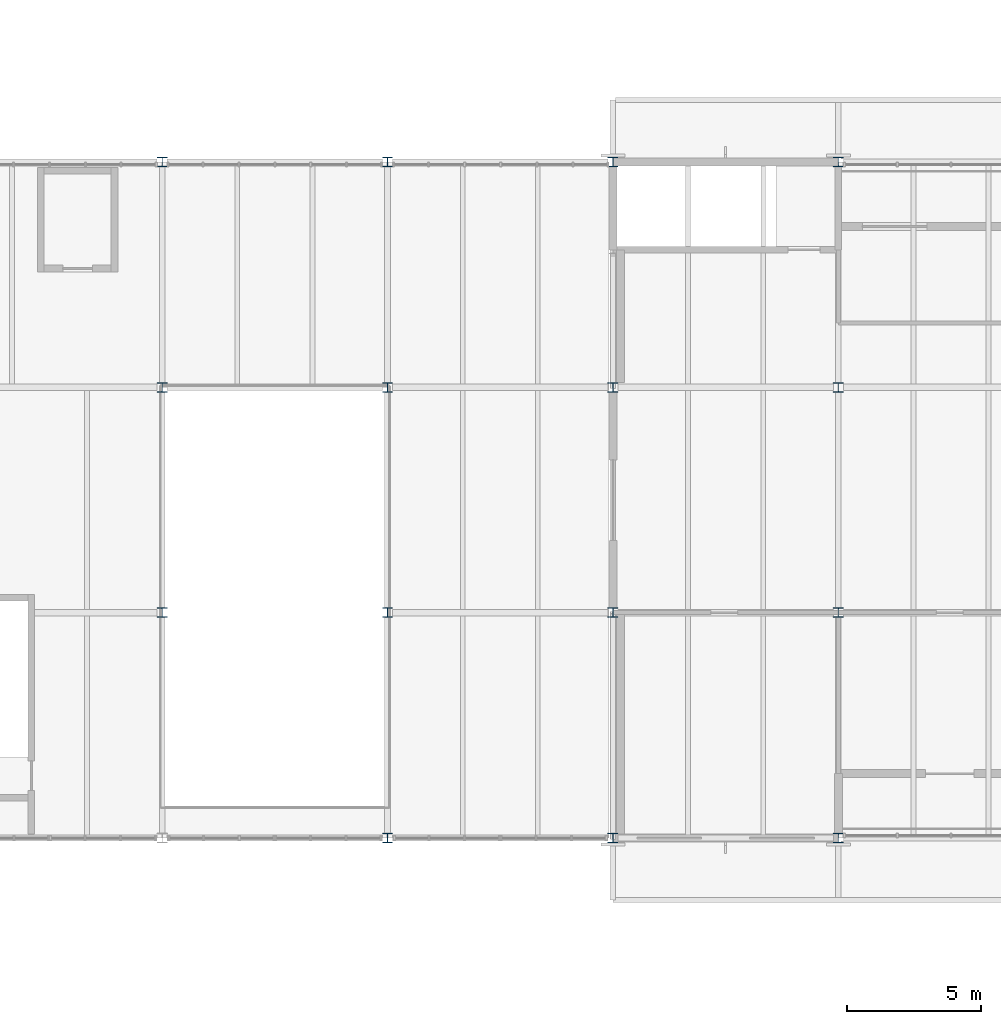
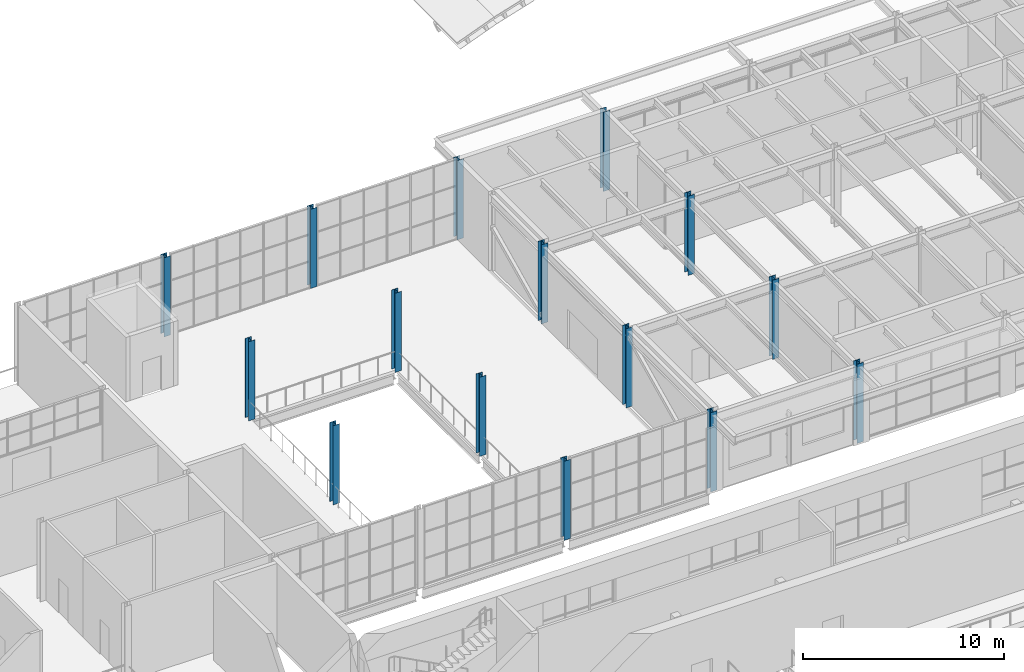
# One storey, part 10 of 116: 15 columns.
"""IFC4 building model written with IfcOpenShell, lengths in metres."""

import ifcopenshell
import ifcopenshell.guid

model = None  # the IFC model being written
_history = None  # IfcOwnerHistory: only IFC2X3 demands one
_inside = {}  # id of a spatial element -> (the spatial element, [elements in it])
_under = {}  # id of a project, library or spatial element -> (it, [spatial elements below it])
_declared = {}  # id of a project -> (the project, [libraries it declares])
_typed = {}  # id of a type object -> (the type object, [elements of that type])
_made_of = {}  # id of a material, layer set ... -> (it, [elements and type objects made of it])


def new_model(schema):
    """Start an empty IFC model of exactly this schema.

    Asked for "IFC4X3", IfcOpenShell would pick the latest addendum, in which some entities
    have other attributes; the version numbers below select the first issue.
    IFC2X3 requires an IfcOwnerHistory on every rooted entity: one is made here for all.
    """
    global model, _history
    if schema == "IFC4X3":
        model = ifcopenshell.file(schema_version=(4, 3, 0, 0))
    else:
        model = ifcopenshell.file(schema=schema)
    _inside.clear()
    _under.clear()
    _declared.clear()
    _typed.clear()
    _made_of.clear()
    _history = None
    if model.schema == "IFC2X3":
        org = make("IfcOrganization", Name="unknown")
        user = make(
            "IfcPersonAndOrganization",
            ThePerson=make("IfcPerson", FamilyName="unknown"),
            TheOrganization=org,
        )
        app = make(
            "IfcApplication",
            ApplicationDeveloper=org,
            Version="unknown",
            ApplicationFullName="unknown",
            ApplicationIdentifier="unknown",
        )
        _history = make(
            "IfcOwnerHistory",
            OwningUser=user,
            OwningApplication=app,
            ChangeAction="ADDED",
            CreationDate=0,
        )
    return model


def make(cls, **values):
    """One entity of the class cls with the attributes given. An attribute that is None is left unset."""
    return model.create_entity(
        cls, **{name: value for name, value in values.items() if value is not None}
    )


def rooted(cls, **values):
    """An entity with a GlobalId (a new one), such as an element, a storey or a relation."""
    return make(cls, GlobalId=ifcopenshell.guid.new(), OwnerHistory=_history, **values)


def si_unit(unit_type, name, prefix=None):
    """IfcSIUnit, for example si_unit("LENGTHUNIT", "METRE", prefix="MILLI")."""
    return make("IfcSIUnit", UnitType=unit_type, Prefix=prefix, Name=name)


def assignment(units):
    """IfcUnitAssignment: the units of a project."""
    return None if units is None else make("IfcUnitAssignment", Units=units)


def point(xyz):
    """IfcCartesianPoint."""
    return None if xyz is None else make("IfcCartesianPoint", Coordinates=xyz)


def direction(xyz):
    """IfcDirection."""
    return None if xyz is None else make("IfcDirection", DirectionRatios=xyz)


def frame(location, z_axis=None, x_axis=None):
    """IfcAxis2Placement3D, a coordinate frame: its origin and axes. An axis left out is left unset."""
    return make(
        "IfcAxis2Placement3D",
        Location=point(location),
        Axis=direction(z_axis),
        RefDirection=direction(x_axis),
    )


def frame_2d(location, x_axis=None):
    """IfcAxis2Placement2D, a coordinate frame in the plane: its origin and x axis."""
    return make(
        "IfcAxis2Placement2D", Location=point(location), RefDirection=direction(x_axis)
    )


def origin():
    """The frame at (0, 0, 0) with its axes left unset."""
    return frame((0.0, 0.0, 0.0))


def origin_2d():
    """The frame at (0, 0) in the plane with its x axis left unset."""
    return frame_2d((0.0, 0.0))


def place(relative_to, where):
    """IfcLocalPlacement: puts the frame where relative to a parent placement (None: the world)."""
    return make(
        "IfcLocalPlacement", PlacementRelTo=relative_to, RelativePlacement=where
    )


def context(
    kind, dimensions, precision=None, world=None, true_north=None, identifier=None
):
    """IfcGeometricRepresentationContext, for example the 3D "Model" context."""
    return make(
        "IfcGeometricRepresentationContext",
        ContextIdentifier=identifier,
        ContextType=kind,
        CoordinateSpaceDimension=dimensions,
        Precision=precision,
        WorldCoordinateSystem=world,
        TrueNorth=true_north,
    )


def subcontext(parent, identifier, kind, view, scale=None):
    """IfcGeometricRepresentationSubContext, for example "Body" below "Model"."""
    return make(
        "IfcGeometricRepresentationSubContext",
        ContextIdentifier=identifier,
        ContextType=kind,
        ParentContext=parent,
        TargetScale=scale,
        TargetView=view,
    )


def project(units=None, contexts=None):
    """IfcProject with its units and contexts."""
    return rooted(
        "IfcProject",
        Name="project",
        RepresentationContexts=contexts,
        UnitsInContext=assignment(units),
    )


def spatial(cls, under=None, at=None, **own):
    """A site, building, storey or space (cls), placed at a placement, below another one or the project."""
    s = rooted(cls, ObjectPlacement=at, **own)
    if under is not None:
        _under.setdefault(under.id(), (under, []))[1].append(s)
    return s


def profile(cls, at=None, kind="AREA", **sizes):
    """A parametric profile (cls). Its sizes go by their IFC names, for example OverallWidth=200.0."""
    return make(cls, ProfileType=kind, Position=at, **sizes)


def i_section(**sizes):
    """IfcIShapeProfileDef."""
    return profile("IfcIShapeProfileDef", **sizes)


def extrude(swept, where, along, depth):
    """IfcExtrudedAreaSolid: the profile swept, set in the frame where, extruded along a direction by depth."""
    return make(
        "IfcExtrudedAreaSolid",
        SweptArea=swept,
        Position=where,
        ExtrudedDirection=direction(along),
        Depth=depth,
    )


def shape(context_of_items, identifier, shape_type, items):
    """IfcShapeRepresentation: the items that make up one representation, for example the "Body"."""
    return make(
        "IfcShapeRepresentation",
        ContextOfItems=context_of_items,
        RepresentationIdentifier=identifier,
        RepresentationType=shape_type,
        Items=items,
    )


def material(Name=None, Category=None):
    """IfcMaterial."""
    return make("IfcMaterial", Name=Name, Category=Category)


def material_profile(
    of_material, cross_section, Name=None, Category=None, Priority=None
):
    """IfcMaterialProfile: a cross section and its material."""
    return make(
        "IfcMaterialProfile",
        Name=Name,
        Material=of_material,
        Profile=cross_section,
        Priority=Priority,
        Category=Category,
    )


def profile_set(profiles, Name=None, composite=None):
    """IfcMaterialProfileSet."""
    return make(
        "IfcMaterialProfileSet",
        Name=Name,
        MaterialProfiles=profiles,
        CompositeProfile=composite,
    )


def made_of(thing, what):
    """Note that an element or type object is made of a material, layer set ...; save() writes the relation."""
    if what is not None:
        _made_of.setdefault(what.id(), (what, []))[1].append(thing)
    return thing


def type_object(cls, material=None, **own):
    """A type object (cls), such as IfcWallType, which elements share."""
    return made_of(rooted(cls, **own), material)


def element(
    cls,
    number,
    at=None,
    inside=None,
    cuts=None,
    type_object=None,
    material=None,
    context=None,
    identifier="Body",
    shape_type=None,
    held_by="IfcProductDefinitionShape",
    body=None,
    shapes=None,
    **own,
):
    """One element of the class cls, such as IfcWall. Its Tag is "e" and its number.

    at: its placement. inside: the storey or other place that contains it. cuts: it is an
    opening in that element (IfcRelVoidsElement). A single representation is given by context,
    identifier, shape_type and body (its items); several are given by shapes. held_by: the class
    of the entity that holds the representations. save() writes the other relations.
    """
    e = rooted(cls, Tag="e%d" % number, ObjectPlacement=at, **own)
    if body is not None:
        shapes = [shape(context, identifier, shape_type, body)]
    if shapes is not None:
        e.Representation = make(held_by, Representations=shapes)
    if inside is not None:
        _inside.setdefault(inside.id(), (inside, []))[1].append(e)
    if cuts is not None:
        rooted(
            "IfcRelVoidsElement", RelatingBuildingElement=cuts, RelatedOpeningElement=e
        )
    if type_object is not None:
        _typed.setdefault(type_object.id(), (type_object, []))[1].append(e)
    return made_of(e, material)


def aggregate(whole, parts):
    """IfcRelAggregates: a whole, such as a stair, and the parts it consists of."""
    return rooted("IfcRelAggregates", RelatingObject=whole, RelatedObjects=parts)


def save(model, path):
    """Write the relations noted so far, then the file.

    IfcRelAggregates (storeys below a building ...), IfcRelContainedInSpatialStructure (elements
    in a storey), IfcRelDefinesByType, IfcRelAssociatesMaterial and IfcRelDeclares: one each for
    every whole, place, type object, material and project.
    """
    for whole, parts in _under.values():
        aggregate(whole, parts)
    for where, things in _inside.values():
        rooted(
            "IfcRelContainedInSpatialStructure",
            RelatedElements=things,
            RelatingStructure=where,
        )
    for kind, things in _typed.values():
        rooted("IfcRelDefinesByType", RelatedObjects=things, RelatingType=kind)
    for what, things in _made_of.values():
        rooted("IfcRelAssociatesMaterial", RelatedObjects=things, RelatingMaterial=what)
    for by, libraries in _declared.values():
        rooted("IfcRelDeclares", RelatingContext=by, RelatedDefinitions=libraries)
    model.write(path)


model = new_model("IFC4")

# Units and contexts
model_context = context("Model", 3, precision=1e-05, world=origin(), true_north=direction((0.0, 1.0)))
body_context = subcontext(model_context, "Body", "Model", "MODEL_VIEW")
ifc_project = project(units=[si_unit("LENGTHUNIT", "METRE"), si_unit("AREAUNIT", "SQUARE_METRE"), si_unit("VOLUMEUNIT", "CUBIC_METRE"), si_unit("PLANEANGLEUNIT", "RADIAN"), si_unit("MASSUNIT", "GRAM", prefix="KILO")], contexts=[model_context])

# Site, building, storey
site_placement = place(None, origin())
site = spatial("IfcSite", under=ifc_project, at=site_placement, CompositionType="ELEMENT")
building_placement = place(site_placement, origin())
building = spatial("IfcBuilding", under=site, at=building_placement, Name="Ljudholm Concert House", CompositionType="ELEMENT")
storey_placement = place(building_placement, frame((0.0, 0.0, 10.199951171875)))
storey = spatial("IfcBuildingStorey", under=building, at=storey_placement, Name="L02", CompositionType="ELEMENT", Elevation=10.199951171875)

# Columns
ifc_material = material(Name="Steel ASTM A992", Category="steel")
ifc_material_profile = material_profile(ifc_material, i_section(OverallWidth=0.368408203125, OverallDepth=0.355712890625, WebThickness=0.01123046875, FlangeThickness=0.01806640625, FilletRadius=0.01513671875, at=origin_2d()), Name="W14X90")
ifc_profile_set = profile_set([ifc_material_profile], Name="Steel ASTM A992")
column_type = type_object("IfcColumnType", Name="STEEL COLUMN W14X90", PredefinedType="COLUMN", material=ifc_profile_set)
for number, where, z_axis, x_axis, name in (
    (1, (54.39990234375, 104.800048828125, 0.0), (0.0, 0.0, 1.0), (1.0, 0.0, 0.0), "Column STUDIO-L02-col-54.4-104.8"),
    (2, (54.39990234375, 113.199951171875, 0.0), (0.0, 0.0, 1.0), (1.0, 0.0, 0.0), "Column STUDIO-L02-col-54.4-113.2"),
    (3, (54.39990234375, 121.60009765625, 0.0), (0.0, 0.0, 1.0), (1.0, 0.0, 0.0), "Column STUDIO-L02-col-54.4-121.6"),
    (4, (54.39990234375, 130.0, 0.0), (0.0, 0.0, 1.0), (1.0, 0.0, 0.0), "Column STUDIO-L02-col-54.4-130"),
    (5, (62.800048828125, 104.800048828125, 0.0), (0.0, 0.0, 1.0), (1.0, 0.0, 0.0), "Column STUDIO-L02-col-62.8-104.8"),
    (6, (62.800048828125, 113.199951171875, 0.0), (0.0, 0.0, 1.0), (1.0, 0.0, 0.0), "Column STUDIO-L02-col-62.8-113.2"),
    (7, (62.800048828125, 121.60009765625, 0.0), (0.0, 0.0, 1.0), (1.0, 0.0, 0.0), "Column STUDIO-L02-col-62.8-121.6"),
    (8, (62.800048828125, 130.0, 0.0), (0.0, 0.0, 1.0), (1.0, 0.0, 0.0), "Column STUDIO-L02-col-62.8-130"),
    (9, (37.60009765625, 113.199951171875, 0.0), (0.0, 0.0, 1.0), (1.0, 0.0, 0.0), "Column W14X90"),
    (10, (37.60009765625, 121.60009765625, 0.0), (0.0, 0.0, 1.0), (1.0, 0.0, 0.0), "Column W14X90"),
    (11, (37.60009765625, 130.0, 0.0), (0.0, 0.0, 1.0), (1.0, 0.0, 0.0), "Column W14X90"),
    (12, (46.0, 104.800048828125, 0.0), (0.0, 0.0, 1.0), (1.0, 0.0, 0.0), "Column W14X90"),
    (13, (46.0, 113.199951171875, 0.0), (0.0, 0.0, 1.0), (1.0, 0.0, 0.0), "Column W14X90"),
    (14, (46.0, 121.60009765625, 0.0), (0.0, 0.0, 1.0), (1.0, 0.0, 0.0), "Column W14X90"),
    (15, (46.0, 130.0, 0.0), (0.0, 0.0, 1.0), (1.0, 0.0, 0.0), "Column W14X90"),
):
    element("IfcColumn", number, at=place(storey_placement, frame(where, z_axis=z_axis, x_axis=x_axis)), inside=storey, type_object=column_type, Name=name, PredefinedType="COLUMN", context=body_context, shape_type="SweptSolid", body=[
        extrude(i_section(OverallWidth=0.368408203125, OverallDepth=0.355712890625, WebThickness=0.01123046875, FlangeThickness=0.01806640625, FilletRadius=0.01513671875, at=origin_2d()), origin(), (0.0, 0.0, 1.0), 4.800048828125),
    ])

save(model, "model.ifc")
